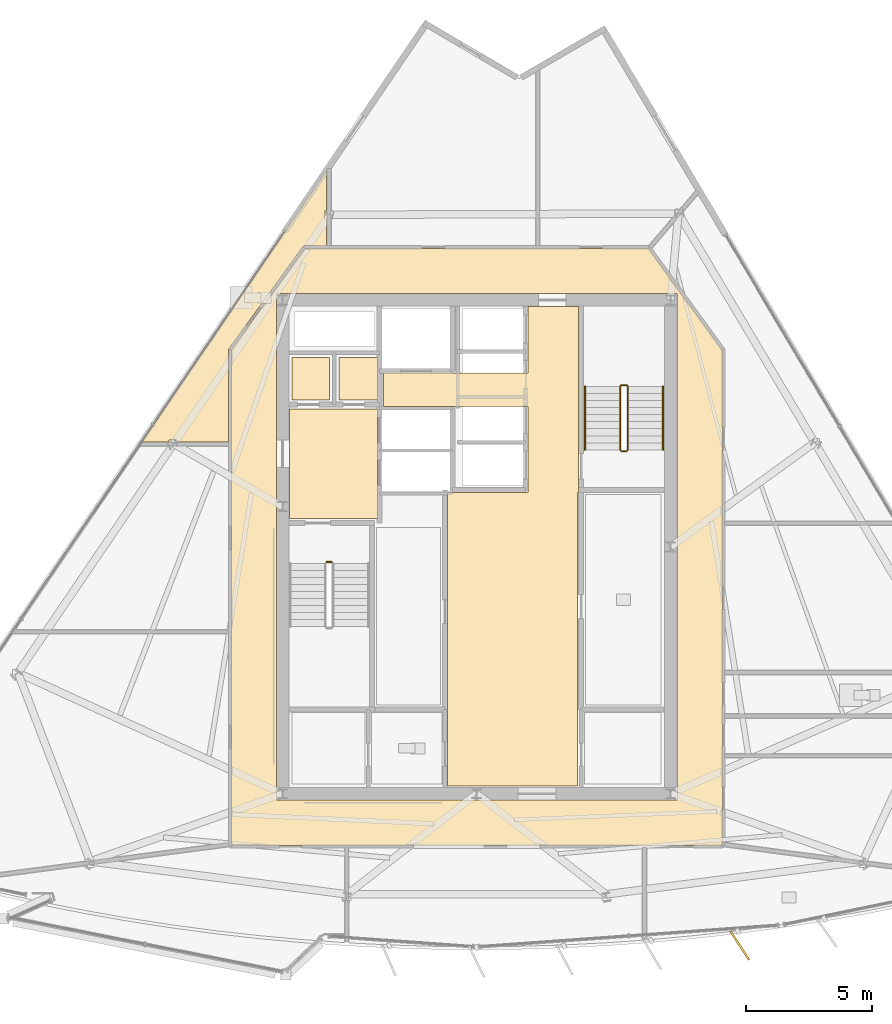
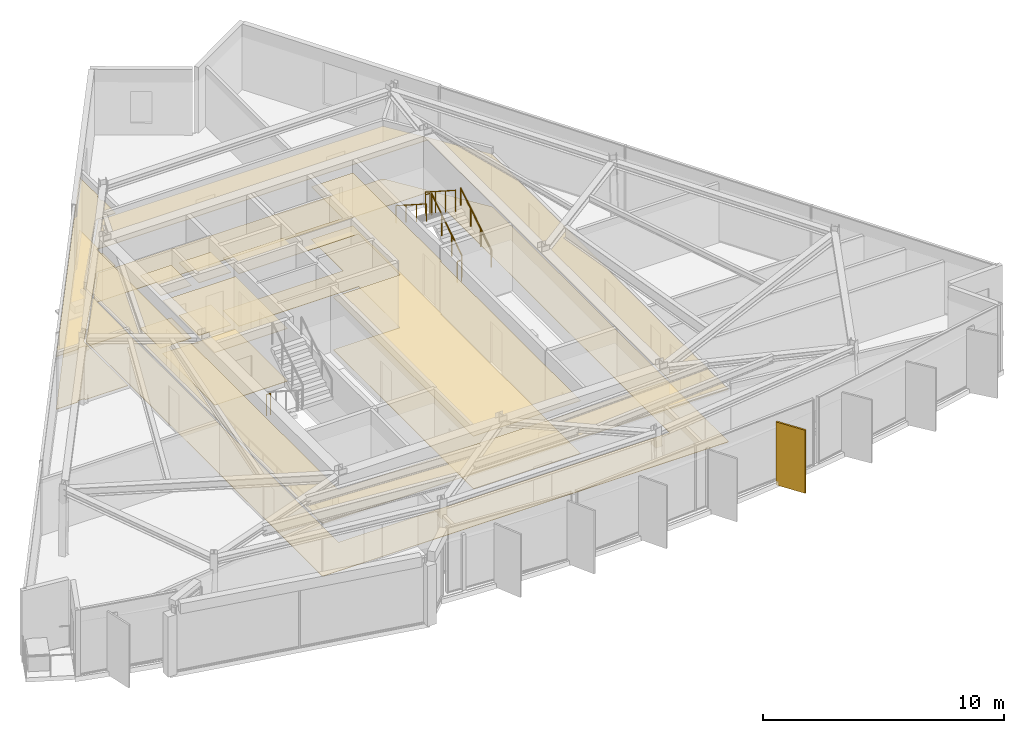
# One storey, part 11 of 13: 12 coverings, 7 railings, 1 shading device.
"""IFC4 building model written with IfcOpenShell, lengths in metres."""

from ifc_helpers import new_model, si_unit, direction, frame, origin, origin_2d, place, context, subcontext, project, spatial, polyline, rectangle, circle, outline, extrude, material, layer, layer_set, type_object, element, save


model = new_model("IFC4")

# Units and contexts
model_context = context("Model", 3, precision=1e-05, world=origin(), true_north=direction((0.0, 1.0)))
body_context = subcontext(model_context, "Body", "Model", "MODEL_VIEW")
ifc_project = project(units=[si_unit("LENGTHUNIT", "METRE"), si_unit("AREAUNIT", "SQUARE_METRE"), si_unit("VOLUMEUNIT", "CUBIC_METRE"), si_unit("PLANEANGLEUNIT", "RADIAN"), si_unit("MASSUNIT", "GRAM", prefix="KILO")], contexts=[model_context])

# Site, building, storey
site_placement = place(None, origin())
site = spatial("IfcSite", under=ifc_project, at=site_placement, CompositionType="ELEMENT")
building_placement = place(site_placement, origin())
building = spatial("IfcBuilding", under=site, at=building_placement, Name="Savorim Split Tower", CompositionType="ELEMENT")
storey_placement = place(building_placement, frame((0.0, 0.0, 276.0)))
storey = spatial("IfcBuildingStorey", under=building, at=storey_placement, Name="L73", CompositionType="ELEMENT", Elevation=276.0)

# Coverings
ifc_material_1 = material(Name="Mineral Fibre Acoustic Ceiling")
ifc_layer_1 = layer(ifc_material_1, 0.02490234375)
ifc_layer_set_1 = layer_set([ifc_layer_1], Name="COV-CEIL-25")
covering_type_1 = type_object("IfcCoveringType", Name="COV-CEIL-25", PredefinedType="CEILING", material=ifc_layer_set_1)
covering_1_placement = place(storey_placement, frame((0.0, 0.0, 2.669921875)))
element("IfcCovering", 1, at=covering_1_placement, inside=storey, type_object=covering_type_1, Name="L73 Firefighting Lift Lobby Acoustic Ceiling", PredefinedType="CEILING", context=body_context, shape_type="SweptSolid", body=[
    extrude(outline(polyline([(-7.429931640625, 5.8701171875), (-7.429931640625, 1.530029296875), (-3.929931640625, 1.530029296875), (-3.929931640625, 5.8701171875), (-7.429931640625, 5.8701171875)])), origin(), (0.0, 0.0, 1.0), 0.025146484375),
])
covering_2_placement = place(storey_placement, frame((0.0, 0.0, 2.669921875)))
element("IfcCovering", 2, at=covering_2_placement, inside=storey, type_object=covering_type_1, Name="L73 Electrical Riser Acoustic Ceiling", PredefinedType="CEILING", context=body_context, shape_type="SweptSolid", body=[
    extrude(outline(polyline([(-7.320068359375, 7.919921875), (-7.320068359375, 6.22998046875), (-5.830078125, 6.22998046875), (-5.830078125, 7.919921875), (-7.320068359375, 7.919921875)])), origin(), (0.0, 0.0, 1.0), 0.025146484375),
])
covering_3_placement = place(storey_placement, frame((0.0, 0.0, 2.669921875)))
element("IfcCovering", 3, at=covering_3_placement, inside=storey, type_object=covering_type_1, Name="L73 Telecom Riser Acoustic Ceiling", PredefinedType="CEILING", context=body_context, shape_type="SweptSolid", body=[
    extrude(outline(polyline([(-5.469970703125, 7.919921875), (-5.469970703125, 6.22998046875), (-3.929931640625, 6.22998046875), (-3.929931640625, 7.919921875), (-5.469970703125, 7.919921875)])), origin(), (0.0, 0.0, 1.0), 0.025146484375),
])
covering_4_placement = place(storey_placement, frame((0.0, 0.0, 2.669921875)))
element("IfcCovering", 4, at=covering_4_placement, inside=storey, type_object=covering_type_1, Name="L73 Lift Lobby Acoustic Ceiling", PredefinedType="CEILING", context=body_context, shape_type="SweptSolid", body=[
    extrude(outline(polyline([(2.050048828125, 2.550048828125), (-1.14990234375, 2.550048828125), (-1.14990234375, -9.10009765625), (4.0, -9.10009765625), (4.0, 2.550048828125), (4.050048828125, 2.550048828125), (4.050048828125, 5.97998046875), (4.050048828125, 7.300048828125), (4.050048828125, 9.929931640625), (2.050048828125, 9.929931640625), (2.050048828125, 7.300048828125), (-3.699951171875, 7.300048828125), (-3.699951171875, 5.97998046875), (2.050048828125, 5.97998046875), (2.050048828125, 2.550048828125)])), origin(), (0.0, 0.0, 1.0), 0.025146484375),
])
covering_5_placement = place(storey_placement, frame((0.0, 0.0, 2.669921875)))
element("IfcCovering", 5, at=covering_5_placement, inside=storey, type_object=covering_type_1, Name="L73 Corridor Acoustic Ceiling", PredefinedType="CEILING", context=body_context, shape_type="SweptSolid", body=[
    extrude(outline(polyline([(6.809326171875, 12.2490234375), (6.8046875, 12.249755859375), (6.800048828125, 12.25), (-6.800048828125, 12.25), (-6.8046875, 12.249755859375), (-6.809326171875, 12.2490234375), (-6.81396484375, 12.248046875), (-6.818359375, 12.24658203125), (-6.82275390625, 12.244384765625), (-6.826904296875, 12.2421875), (-6.830810546875, 12.239501953125), (-6.834228515625, 12.236328125), (-6.83740234375, 12.23291015625), (-6.840576171875, 12.229248046875), (-9.740478515625, 8.229248046875), (-9.743408203125, 8.22509765625), (-9.74560546875, 8.22021484375), (-9.74755859375, 8.21533203125), (-9.748779296875, 8.21044921875), (-9.749755859375, 8.205078125), (-9.75, 8.199951171875), (-9.75, -11.39990234375), (-9.749755859375, -11.40478515625), (-9.7490234375, -11.409912109375), (-9.747802734375, -11.41455078125), (-9.74609375, -11.419189453125), (-9.744140625, -11.423583984375), (-9.74169921875, -11.427734375), (-9.73876953125, -11.431640625), (-9.7353515625, -11.435302734375), (-9.731689453125, -11.438720703125), (-9.727783203125, -11.441650390625), (-9.7236328125, -11.444091796875), (-9.718994140625, -11.4462890625), (-9.714599609375, -11.44775390625), (-9.709716796875, -11.448974609375), (-9.704833984375, -11.44970703125), (-9.699951171875, -11.449951171875), (9.699951171875, -11.449951171875), (9.704833984375, -11.44970703125), (9.709716796875, -11.448974609375), (9.714599609375, -11.44775390625), (9.718994140625, -11.4462890625), (9.7236328125, -11.444091796875), (9.727783203125, -11.441650390625), (9.731689453125, -11.438720703125), (9.7353515625, -11.435302734375), (9.73876953125, -11.431640625), (9.74169921875, -11.427734375), (9.744140625, -11.423583984375), (9.74609375, -11.419189453125), (9.747802734375, -11.41455078125), (9.7490234375, -11.409912109375), (9.749755859375, -11.40478515625), (9.75, -11.39990234375), (9.75, 8.199951171875), (9.749755859375, 8.205078125), (9.748779296875, 8.21044921875), (9.74755859375, 8.21533203125), (9.74560546875, 8.22021484375), (9.743408203125, 8.22509765625), (9.740478515625, 8.229248046875), (6.840576171875, 12.229248046875), (6.83740234375, 12.23291015625), (6.834228515625, 12.236328125), (6.830810546875, 12.239501953125), (6.826904296875, 12.2421875), (6.82275390625, 12.244384765625), (6.818359375, 12.24658203125), (6.81396484375, 12.248046875), (6.809326171875, 12.2490234375)]), holes=[polyline([(-7.949951171875, 10.449951171875), (-7.949951171875, -9.64990234375), (7.949951171875, -9.64990234375), (7.949951171875, 10.449951171875), (-7.949951171875, 10.449951171875)])]), origin(), (0.0, 0.0, 1.0), 0.025146484375),
])
covering_6_placement = place(storey_placement, frame((0.0, 0.0, 2.669921875)))
element("IfcCovering", 6, at=covering_6_placement, inside=storey, type_object=covering_type_1, Name="L73 Shared Bathroom Acoustic Ceiling", PredefinedType="CEILING", context=body_context, shape_type="SweptSolid", body=[
    extrude(outline(polyline([(-6.813232421875, 12.33935546875), (-6.800048828125, 12.340087890625), (-5.947998046875, 12.340087890625), (-5.947998046875, 13.408447265625), (-6.017333984375, 13.408447265625), (-6.017333984375, 13.758544921875), (-5.947998046875, 13.758544921875), (-5.947998046875, 15.36328125), (-13.292236328125, 4.567138671875), (-12.215576171875, 4.567138671875), (-12.215576171875, 4.647216796875), (-11.88671875, 4.647216796875), (-11.88671875, 4.567138671875), (-9.840087890625, 4.567138671875), (-9.840087890625, 8.199951171875), (-9.839111328125, 8.214599609375), (-9.8369140625, 8.22900390625), (-9.833251953125, 8.2431640625), (-9.827880859375, 8.2568359375), (-9.8212890625, 8.27001953125), (-9.813232421875, 8.2822265625), (-6.913330078125, 12.2822265625), (-6.905029296875, 12.29248046875), (-6.89599609375, 12.302001953125), (-6.885986328125, 12.310546875), (-6.875, 12.318115234375), (-6.863525390625, 12.32470703125), (-6.8515625, 12.330078125), (-6.839111328125, 12.33447265625), (-6.826416015625, 12.33740234375), (-6.813232421875, 12.33935546875)])), origin(), (0.0, 0.0, 1.0), 0.025146484375),
])
ifc_material_2 = material(Name="Porcelain Stoneware Flooring", Category="masonry")
ifc_layer_2 = layer(ifc_material_2, 0.02001953125)
ifc_layer_set_2 = layer_set([ifc_layer_2], Name="COV-FLOR-20")
covering_type_2 = type_object("IfcCoveringType", Name="COV-FLOR-20", PredefinedType="FLOORING", material=ifc_layer_set_2)
covering_7_placement = place(storey_placement, origin())
element("IfcCovering", 7, at=covering_7_placement, inside=storey, type_object=covering_type_2, Name="L73 Firefighting Lift Lobby Porcelain Flooring", PredefinedType="FLOORING", context=body_context, shape_type="SweptSolid", body=[
    extrude(outline(polyline([(-7.429931640625, 5.8701171875), (-7.429931640625, 1.530029296875), (-3.929931640625, 1.530029296875), (-3.929931640625, 5.8701171875), (-7.429931640625, 5.8701171875)])), origin(), (0.0, 0.0, 1.0), 0.02001953125),
])
covering_8_placement = place(storey_placement, origin())
element("IfcCovering", 8, at=covering_8_placement, inside=storey, type_object=covering_type_2, Name="L73 Electrical Riser Porcelain Flooring", PredefinedType="FLOORING", context=body_context, shape_type="SweptSolid", body=[
    extrude(outline(polyline([(-7.320068359375, 7.919921875), (-7.320068359375, 6.22998046875), (-5.830078125, 6.22998046875), (-5.830078125, 7.919921875), (-7.320068359375, 7.919921875)])), origin(), (0.0, 0.0, 1.0), 0.02001953125),
])
covering_9_placement = place(storey_placement, origin())
element("IfcCovering", 9, at=covering_9_placement, inside=storey, type_object=covering_type_2, Name="L73 Telecom Riser Porcelain Flooring", PredefinedType="FLOORING", context=body_context, shape_type="SweptSolid", body=[
    extrude(outline(polyline([(-5.469970703125, 7.919921875), (-5.469970703125, 6.22998046875), (-3.929931640625, 6.22998046875), (-3.929931640625, 7.919921875), (-5.469970703125, 7.919921875)])), origin(), (0.0, 0.0, 1.0), 0.02001953125),
])
covering_10_placement = place(storey_placement, origin())
element("IfcCovering", 10, at=covering_10_placement, inside=storey, type_object=covering_type_2, Name="L73 Lift Lobby Porcelain Flooring", PredefinedType="FLOORING", context=body_context, shape_type="SweptSolid", body=[
    extrude(outline(polyline([(2.050048828125, 2.550048828125), (-1.14990234375, 2.550048828125), (-1.14990234375, -9.10009765625), (4.0, -9.10009765625), (4.0, 2.550048828125), (4.050048828125, 2.550048828125), (4.050048828125, 5.97998046875), (4.050048828125, 7.300048828125), (4.050048828125, 9.929931640625), (2.050048828125, 9.929931640625), (2.050048828125, 7.300048828125), (-3.699951171875, 7.300048828125), (-3.699951171875, 5.97998046875), (2.050048828125, 5.97998046875), (2.050048828125, 2.550048828125)])), origin(), (0.0, 0.0, 1.0), 0.02001953125),
])
covering_11_placement = place(storey_placement, origin())
element("IfcCovering", 11, at=covering_11_placement, inside=storey, type_object=covering_type_2, Name="L73 Corridor Porcelain Flooring", PredefinedType="FLOORING", context=body_context, shape_type="SweptSolid", body=[
    extrude(outline(polyline([(6.809326171875, 12.2490234375), (6.8046875, 12.249755859375), (6.800048828125, 12.25), (-6.800048828125, 12.25), (-6.8046875, 12.249755859375), (-6.809326171875, 12.2490234375), (-6.81396484375, 12.248046875), (-6.818359375, 12.24658203125), (-6.82275390625, 12.244384765625), (-6.826904296875, 12.2421875), (-6.830810546875, 12.239501953125), (-6.834228515625, 12.236328125), (-6.83740234375, 12.23291015625), (-6.840576171875, 12.229248046875), (-9.740478515625, 8.229248046875), (-9.743408203125, 8.22509765625), (-9.74560546875, 8.22021484375), (-9.74755859375, 8.21533203125), (-9.748779296875, 8.21044921875), (-9.749755859375, 8.205078125), (-9.75, 8.199951171875), (-9.75, -11.39990234375), (-9.749755859375, -11.40478515625), (-9.7490234375, -11.409912109375), (-9.747802734375, -11.41455078125), (-9.74609375, -11.419189453125), (-9.744140625, -11.423583984375), (-9.74169921875, -11.427734375), (-9.73876953125, -11.431640625), (-9.7353515625, -11.435302734375), (-9.731689453125, -11.438720703125), (-9.727783203125, -11.441650390625), (-9.7236328125, -11.444091796875), (-9.718994140625, -11.4462890625), (-9.714599609375, -11.44775390625), (-9.709716796875, -11.448974609375), (-9.704833984375, -11.44970703125), (-9.699951171875, -11.449951171875), (9.699951171875, -11.449951171875), (9.704833984375, -11.44970703125), (9.709716796875, -11.448974609375), (9.714599609375, -11.44775390625), (9.718994140625, -11.4462890625), (9.7236328125, -11.444091796875), (9.727783203125, -11.441650390625), (9.731689453125, -11.438720703125), (9.7353515625, -11.435302734375), (9.73876953125, -11.431640625), (9.74169921875, -11.427734375), (9.744140625, -11.423583984375), (9.74609375, -11.419189453125), (9.747802734375, -11.41455078125), (9.7490234375, -11.409912109375), (9.749755859375, -11.40478515625), (9.75, -11.39990234375), (9.75, 8.199951171875), (9.749755859375, 8.205078125), (9.748779296875, 8.21044921875), (9.74755859375, 8.21533203125), (9.74560546875, 8.22021484375), (9.743408203125, 8.22509765625), (9.740478515625, 8.229248046875), (6.840576171875, 12.229248046875), (6.83740234375, 12.23291015625), (6.834228515625, 12.236328125), (6.830810546875, 12.239501953125), (6.826904296875, 12.2421875), (6.82275390625, 12.244384765625), (6.818359375, 12.24658203125), (6.81396484375, 12.248046875), (6.809326171875, 12.2490234375)]), holes=[polyline([(-7.949951171875, 10.449951171875), (-7.949951171875, -9.64990234375), (7.949951171875, -9.64990234375), (7.949951171875, 10.449951171875), (-7.949951171875, 10.449951171875)])]), origin(), (0.0, 0.0, 1.0), 0.02001953125),
])
covering_12_placement = place(storey_placement, origin())
element("IfcCovering", 12, at=covering_12_placement, inside=storey, type_object=covering_type_2, Name="L73 Shared Bathroom Porcelain Flooring", PredefinedType="FLOORING", context=body_context, shape_type="SweptSolid", body=[
    extrude(outline(polyline([(-6.813232421875, 12.33935546875), (-6.800048828125, 12.340087890625), (-5.947998046875, 12.340087890625), (-5.947998046875, 13.408447265625), (-6.017333984375, 13.408447265625), (-6.017333984375, 13.758544921875), (-5.947998046875, 13.758544921875), (-5.947998046875, 15.36328125), (-13.292236328125, 4.567138671875), (-12.215576171875, 4.567138671875), (-12.215576171875, 4.647216796875), (-11.88671875, 4.647216796875), (-11.88671875, 4.567138671875), (-9.840087890625, 4.567138671875), (-9.840087890625, 8.199951171875), (-9.839111328125, 8.214599609375), (-9.8369140625, 8.22900390625), (-9.833251953125, 8.2431640625), (-9.827880859375, 8.2568359375), (-9.8212890625, 8.27001953125), (-9.813232421875, 8.2822265625), (-6.913330078125, 12.2822265625), (-6.905029296875, 12.29248046875), (-6.89599609375, 12.302001953125), (-6.885986328125, 12.310546875), (-6.875, 12.318115234375), (-6.863525390625, 12.32470703125), (-6.8515625, 12.330078125), (-6.839111328125, 12.33447265625), (-6.826416015625, 12.33740234375), (-6.813232421875, 12.33935546875)])), origin(), (0.0, 0.0, 1.0), 0.02001953125),
])

# Railings
ifc_material_3 = material(Name="Galvanised Painted Steel Balustrade", Category="steel")
railing_type_1 = type_object("IfcRailingType", Name="RLG-HR-900", PredefinedType="HANDRAIL", material=ifc_material_3)
railing_1_placement = place(storey_placement, frame((7.39990234375, 4.25, 0.179931640625)))
element("IfcRailing", 13, at=railing_1_placement, inside=storey, type_object=railing_type_1, Name="L73 ST-2 stair handrail 1", PredefinedType="HANDRAIL", context=body_context, shape_type="SweptSolid", body=[
    extrude(circle(Radius=0.02392578125, at=origin_2d()), frame((0.0, 0.0, 0.8759765625), z_axis=(0.0, 0.841162588446, 0.540782303519), x_axis=(-1.0, 0.0, 0.0)), (0.0, 0.0, 1.0), 2.995849609375),
    extrude(circle(Radius=0.02099609375, at=origin_2d()), origin(), (0.0, 0.0, 1.0), 0.851806640625),
    extrude(circle(Radius=0.02099609375, at=origin_2d()), frame((0.0, 0.840087890625, 0.5400390625)), (0.0, 0.0, 1.0), 0.851806640625),
    extrude(circle(Radius=0.02099609375, at=origin_2d()), frame((0.0, 1.679931640625, 1.080078125)), (0.0, 0.0, 1.0), 0.851806640625),
    extrude(circle(Radius=0.02099609375, at=origin_2d()), frame((0.0, 2.52001953125, 1.6201171875)), (0.0, 0.0, 1.0), 0.851806640625),
])
railing_2_placement = place(storey_placement, frame((4.300048828125, 6.77001953125, 1.97998046875)))
element("IfcRailing", 14, at=railing_2_placement, inside=storey, type_object=railing_type_1, Name="L73 ST-2 stair handrail 2", PredefinedType="HANDRAIL", context=body_context, shape_type="SweptSolid", body=[
    extrude(circle(Radius=0.02392578125, at=origin_2d()), frame((0.0, 0.0, 0.8759765625), z_axis=(0.0, -0.841162588446, 0.540782303519), x_axis=(1.0, 0.0, 0.0)), (0.0, 0.0, 1.0), 2.995849609375),
    extrude(circle(Radius=0.02099609375, at=origin_2d()), origin(), (0.0, 0.0, 1.0), 0.851806640625),
    extrude(circle(Radius=0.02099609375, at=origin_2d()), frame((0.0, -0.840087890625, 0.5400390625)), (0.0, 0.0, 1.0), 0.851806640625),
    extrude(circle(Radius=0.02099609375, at=origin_2d()), frame((0.0, -1.679931640625, 1.080078125)), (0.0, 0.0, 1.0), 0.851806640625),
    extrude(circle(Radius=0.02099609375, at=origin_2d()), frame((0.0, -2.52001953125, 1.6201171875)), (0.0, 0.0, 1.0), 0.851806640625),
])
railing_type_2 = type_object("IfcRailingType", Name="RLG-STG-1100", PredefinedType="BALUSTRADE", material=ifc_material_3)
railing_3_placement = place(storey_placement, frame((-5.949951171875, -0.199951171875, 0.0)))
element("IfcRailing", 15, at=railing_3_placement, inside=storey, type_object=railing_type_2, Name="L73 ST-1 stair guard 4", PredefinedType="BALUSTRADE", context=body_context, shape_type="SweptSolid", body=[
    extrude(circle(Radius=0.02392578125, at=origin_2d()), frame((0.0, 0.0, 1.076171875), z_axis=(1.0, 0.0, 0.0), x_axis=(0.0, 1.0, 0.0)), (0.0, 0.0, 1.0), 0.199951171875),
    extrude(circle(Radius=0.02099609375, at=origin_2d()), origin(), (0.0, 0.0, 1.0), 1.052001953125),
    extrude(circle(Radius=0.02099609375, at=origin_2d()), frame((0.199951171875, 0.0, 0.0)), (0.0, 0.0, 1.0), 1.052001953125),
])
railing_4_placement = place(storey_placement, frame((6.0, 4.25, 0.179931640625)))
element("IfcRailing", 16, at=railing_4_placement, inside=storey, type_object=railing_type_2, Name="L73 ST-2 stair guard 1", PredefinedType="BALUSTRADE", context=body_context, shape_type="SweptSolid", body=[
    extrude(circle(Radius=0.02392578125, at=origin_2d()), frame((0.0, 0.0, 1.076171875), z_axis=(0.0, 0.841162588446, 0.540782303519), x_axis=(-1.0, 0.0, 0.0)), (0.0, 0.0, 1.0), 2.995849609375),
    extrude(circle(Radius=0.02099609375, at=origin_2d()), origin(), (0.0, 0.0, 1.0), 1.052001953125),
    extrude(circle(Radius=0.02099609375, at=origin_2d()), frame((0.0, 0.840087890625, 0.5400390625)), (0.0, 0.0, 1.0), 1.052001953125),
    extrude(circle(Radius=0.02099609375, at=origin_2d()), frame((0.0, 1.679931640625, 1.080078125)), (0.0, 0.0, 1.0), 1.052001953125),
    extrude(circle(Radius=0.02099609375, at=origin_2d()), frame((0.0, 2.52001953125, 1.6201171875)), (0.0, 0.0, 1.0), 1.052001953125),
])
railing_5_placement = place(storey_placement, frame((5.949951171875, 6.820068359375, 1.800048828125)))
element("IfcRailing", 17, at=railing_5_placement, inside=storey, type_object=railing_type_2, Name="L73 ST-2 stair guard 2", PredefinedType="BALUSTRADE", context=body_context, shape_type="SweptSolid", body=[
    extrude(circle(Radius=0.02392578125, at=origin_2d()), frame((0.0, 0.0, 1.076171875), z_axis=(-1.0, 0.0, 0.0), x_axis=(0.0, -1.0, 0.0)), (0.0, 0.0, 1.0), 0.199951171875),
    extrude(circle(Radius=0.02099609375, at=origin_2d()), origin(), (0.0, 0.0, 1.0), 1.052001953125),
    extrude(circle(Radius=0.02099609375, at=origin_2d()), frame((-0.199951171875, 0.0, 0.0)), (0.0, 0.0, 1.0), 1.052001953125),
])
railing_6_placement = place(storey_placement, frame((5.699951171875, 6.77001953125, 1.97998046875)))
element("IfcRailing", 18, at=railing_6_placement, inside=storey, type_object=railing_type_2, Name="L73 ST-2 stair guard 3", PredefinedType="BALUSTRADE", context=body_context, shape_type="SweptSolid", body=[
    extrude(circle(Radius=0.02392578125, at=origin_2d()), frame((0.0, 0.0, 1.076171875), z_axis=(0.0, -0.841162588446, 0.540782303519), x_axis=(1.0, 0.0, 0.0)), (0.0, 0.0, 1.0), 2.995849609375),
    extrude(circle(Radius=0.02099609375, at=origin_2d()), origin(), (0.0, 0.0, 1.0), 1.052001953125),
    extrude(circle(Radius=0.02099609375, at=origin_2d()), frame((0.0, -0.840087890625, 0.5400390625)), (0.0, 0.0, 1.0), 1.052001953125),
    extrude(circle(Radius=0.02099609375, at=origin_2d()), frame((0.0, -1.679931640625, 1.080078125)), (0.0, 0.0, 1.0), 1.052001953125),
    extrude(circle(Radius=0.02099609375, at=origin_2d()), frame((0.0, -2.52001953125, 1.6201171875)), (0.0, 0.0, 1.0), 1.052001953125),
])
railing_7_placement = place(storey_placement, frame((5.949951171875, 4.199951171875, 0.0)))
element("IfcRailing", 19, at=railing_7_placement, inside=storey, type_object=railing_type_2, Name="L73 ST-2 stair guard 4", PredefinedType="BALUSTRADE", context=body_context, shape_type="SweptSolid", body=[
    extrude(circle(Radius=0.02392578125, at=origin_2d()), frame((0.0, 0.0, 1.076171875), z_axis=(-1.0, 0.0, 0.0), x_axis=(0.0, -1.0, 0.0)), (0.0, 0.0, 1.0), 0.199951171875),
    extrude(circle(Radius=0.02099609375, at=origin_2d()), origin(), (0.0, 0.0, 1.0), 1.052001953125),
    extrude(circle(Radius=0.02099609375, at=origin_2d()), frame((-0.199951171875, 0.0, 0.0)), (0.0, 0.0, 1.0), 1.052001953125),
])

# Shading device
ifc_material_4 = material(Name="Terracotta Ceramic-Coated Aluminium Fin", Category="masonry")
shading_device_type = type_object("IfcShadingDeviceType", Name="SHD-FIN-1360", PredefinedType="USERDEFINED", material=ifc_material_4)
shading_device_placement = place(storey_placement, frame((10.444091796875, -15.423095703125, -0.2001953125), z_axis=(0.0, 0.0, 1.0), x_axis=(0.545148321708, -0.838339613366, 0.0)))
element("IfcShadingDevice", 20, at=shading_device_placement, inside=storey, type_object=shading_device_type, Name="L73 Sawtooth Shading Fin 10", ObjectType="FIN", PredefinedType="USERDEFINED", context=body_context, shape_type="SweptSolid", body=[
    extrude(rectangle(XDim=1.360107421875, YDim=0.080078125, at=origin_2d()), origin(), (0.0, 0.0, 1.0), 3.199951171875),
])

save(model, "model.ifc")
